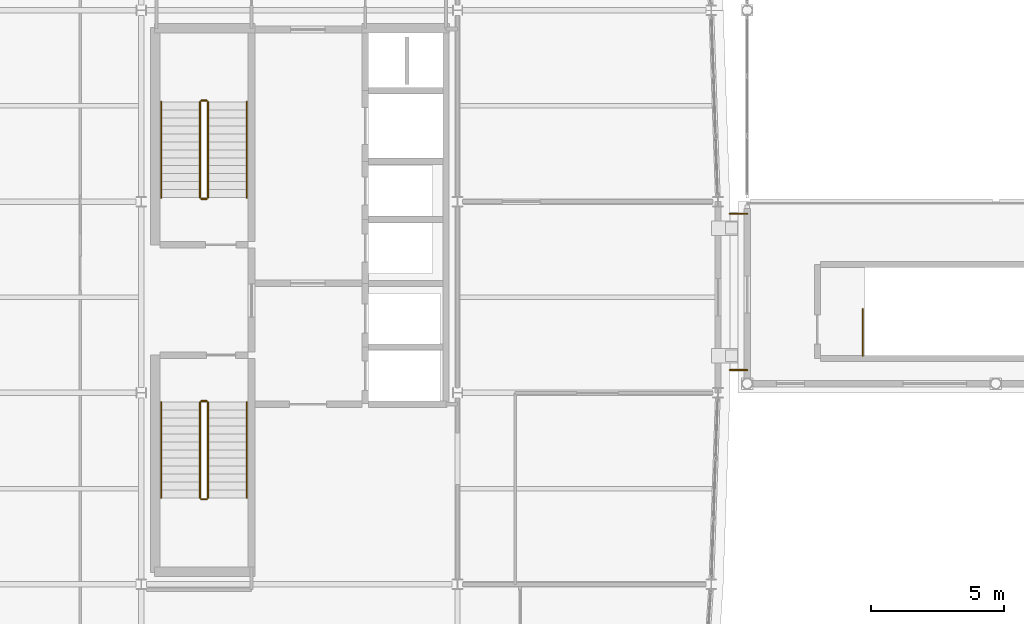
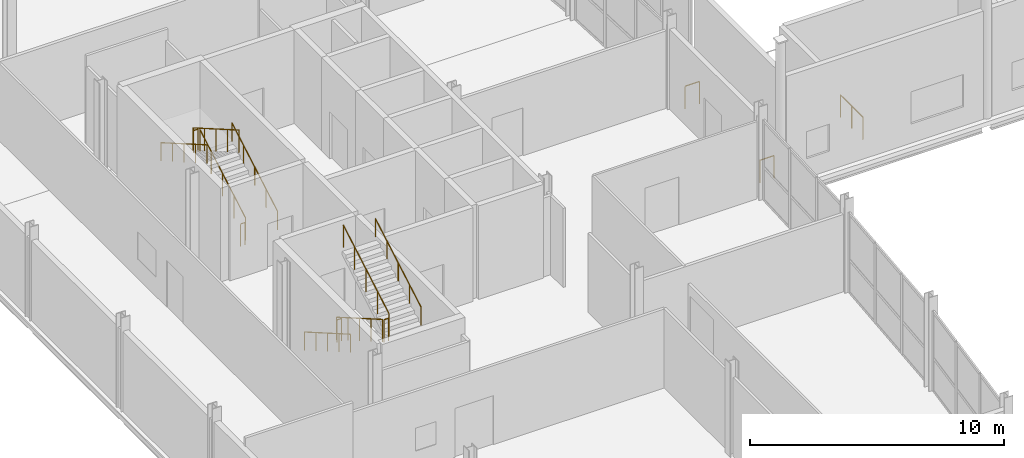
# One storey, part 74 of 77: 15 railings.
"""IFC4 building model written with IfcOpenShell, lengths in metres."""

from ifc_helpers import new_model, si_unit, direction, frame, origin, origin_2d, place, context, subcontext, project, spatial, circle, extrude, material, type_object, element, save


model = new_model("IFC4")

# Units and contexts
model_context = context("Model", 3, precision=1e-05, world=origin(), true_north=direction((0.0, 1.0)))
body_context = subcontext(model_context, "Body", "Model", "MODEL_VIEW")
ifc_project = project(units=[si_unit("LENGTHUNIT", "METRE"), si_unit("AREAUNIT", "SQUARE_METRE"), si_unit("VOLUMEUNIT", "CUBIC_METRE"), si_unit("PLANEANGLEUNIT", "RADIAN"), si_unit("MASSUNIT", "GRAM", prefix="KILO")], contexts=[model_context])

# Site, building, storey
site_placement = place(None, origin())
site = spatial("IfcSite", under=ifc_project, at=site_placement, CompositionType="ELEMENT")
building_placement = place(site_placement, origin())
building = spatial("IfcBuilding", under=site, at=building_placement, Name="Quillay Park Conservatory", CompositionType="ELEMENT")
storey_placement = place(building_placement, frame((0.0, 0.0, 5.39990234375)))
storey = spatial("IfcBuildingStorey", under=building, at=storey_placement, Name="L01", CompositionType="ELEMENT", Elevation=5.39990234375)

# Railings
ifc_material_1 = material(Name="Steel S355J2H", Category="steel")
railing_type_1 = type_object("IfcRailingType", Name="STAIR WALL HANDRAIL 900", PredefinedType="HANDRAIL", material=ifc_material_1)
railing_1_placement = place(storey_placement, frame((11.820068359375, 92.550048828125, 0.173095703125)))
element("IfcRailing", 1, at=railing_1_placement, inside=storey, type_object=railing_type_1, Name="L01 ST-T1 stair handrail 1", PredefinedType="HANDRAIL", context=body_context, shape_type="SweptSolid", body=[
    extrude(circle(Radius=0.02392578125, at=origin_2d()), frame((0.0, 0.0, 0.8759765625), z_axis=(0.0, 0.866178740119, 0.499734319579), x_axis=(-1.0, 0.0, 0.0)), (0.0, 0.0, 1.0), 4.156005859375),
    extrude(circle(Radius=0.02099609375, at=origin_2d()), origin(), (0.0, 0.0, 1.0), 0.851806640625),
    extrude(circle(Radius=0.02099609375, at=origin_2d()), frame((0.0, 0.89990234375, 0.519287109375)), (0.0, 0.0, 1.0), 0.851806640625),
    extrude(circle(Radius=0.02099609375, at=origin_2d()), frame((0.0, 1.7998046875, 1.03857421875)), (0.0, 0.0, 1.0), 0.851806640625),
    extrude(circle(Radius=0.02099609375, at=origin_2d()), frame((0.0, 2.699951171875, 1.5576171875)), (0.0, 0.0, 1.0), 0.851806640625),
    extrude(circle(Radius=0.02099609375, at=origin_2d()), frame((0.0, 3.599853515625, 2.076904296875)), (0.0, 0.0, 1.0), 0.851806640625),
])
railing_2_placement = place(storey_placement, frame((8.60009765625, 96.14990234375, 2.423095703125)))
element("IfcRailing", 2, at=railing_2_placement, inside=storey, type_object=railing_type_1, Name="L01 ST-T1 stair handrail 2", PredefinedType="HANDRAIL", context=body_context, shape_type="SweptSolid", body=[
    extrude(circle(Radius=0.02392578125, at=origin_2d()), frame((0.0, 0.0, 0.8759765625), z_axis=(0.0, -0.866178740119, 0.499734319579), x_axis=(1.0, 0.0, 0.0)), (0.0, 0.0, 1.0), 4.156005859375),
    extrude(circle(Radius=0.02099609375, at=origin_2d()), origin(), (0.0, 0.0, 1.0), 0.851806640625),
    extrude(circle(Radius=0.02099609375, at=origin_2d()), frame((0.0, -0.89990234375, 0.519287109375)), (0.0, 0.0, 1.0), 0.851806640625),
    extrude(circle(Radius=0.02099609375, at=origin_2d()), frame((0.0, -1.7998046875, 1.03857421875)), (0.0, 0.0, 1.0), 0.851806640625),
    extrude(circle(Radius=0.02099609375, at=origin_2d()), frame((0.0, -2.699951171875, 1.5576171875)), (0.0, 0.0, 1.0), 0.851806640625),
    extrude(circle(Radius=0.02099609375, at=origin_2d()), frame((0.0, -3.599853515625, 2.076904296875)), (0.0, 0.0, 1.0), 0.851806640625),
])
railing_3_placement = place(storey_placement, frame((8.60009765625, 84.85009765625, 0.173095703125)))
element("IfcRailing", 3, at=railing_3_placement, inside=storey, type_object=railing_type_1, Name="L01 ST-T2 stair handrail 1", PredefinedType="HANDRAIL", context=body_context, shape_type="SweptSolid", body=[
    extrude(circle(Radius=0.02392578125, at=origin_2d()), frame((0.0, 0.0, 0.8759765625), z_axis=(0.0, -0.866193409371, 0.499708892819), x_axis=(1.0, 0.0, 0.0)), (0.0, 0.0, 1.0), 4.15625),
    extrude(circle(Radius=0.02099609375, at=origin_2d()), origin(), (0.0, 0.0, 1.0), 0.851806640625),
    extrude(circle(Radius=0.02099609375, at=origin_2d()), frame((0.0, -0.89990234375, 0.519287109375)), (0.0, 0.0, 1.0), 0.851806640625),
    extrude(circle(Radius=0.02099609375, at=origin_2d()), frame((0.0, -1.800048828125, 1.03857421875)), (0.0, 0.0, 1.0), 0.851806640625),
    extrude(circle(Radius=0.02099609375, at=origin_2d()), frame((0.0, -2.7001953125, 1.5576171875)), (0.0, 0.0, 1.0), 0.851806640625),
    extrude(circle(Radius=0.02099609375, at=origin_2d()), frame((0.0, -3.60009765625, 2.076904296875)), (0.0, 0.0, 1.0), 0.851806640625),
])
railing_4_placement = place(storey_placement, frame((11.820068359375, 81.25, 2.423095703125)))
element("IfcRailing", 4, at=railing_4_placement, inside=storey, type_object=railing_type_1, Name="L01 ST-T2 stair handrail 2", PredefinedType="HANDRAIL", context=body_context, shape_type="SweptSolid", body=[
    extrude(circle(Radius=0.02392578125, at=origin_2d()), frame((0.0, 0.0, 0.8759765625), z_axis=(0.0, 0.866193409371, 0.499708892819), x_axis=(-1.0, 0.0, 0.0)), (0.0, 0.0, 1.0), 4.15625),
    extrude(circle(Radius=0.02099609375, at=origin_2d()), origin(), (0.0, 0.0, 1.0), 0.851806640625),
    extrude(circle(Radius=0.02099609375, at=origin_2d()), frame((0.0, 0.89990234375, 0.519287109375)), (0.0, 0.0, 1.0), 0.851806640625),
    extrude(circle(Radius=0.02099609375, at=origin_2d()), frame((0.0, 1.800048828125, 1.03857421875)), (0.0, 0.0, 1.0), 0.851806640625),
    extrude(circle(Radius=0.02099609375, at=origin_2d()), frame((0.0, 2.7001953125, 1.5576171875)), (0.0, 0.0, 1.0), 0.851806640625),
    extrude(circle(Radius=0.02099609375, at=origin_2d()), frame((0.0, 3.60009765625, 2.076904296875)), (0.0, 0.0, 1.0), 0.851806640625),
])
ifc_material_2 = material(Name="Steel S355J2H", Category="steel")
railing_type_2 = type_object("IfcRailingType", Name="STAIR WELL GUARDRAIL 1100", PredefinedType="GUARDRAIL", material=ifc_material_2)
railing_5_placement = place(storey_placement, frame((10.360107421875, 92.550048828125, 0.173095703125)))
element("IfcRailing", 5, at=railing_5_placement, inside=storey, type_object=railing_type_2, Name="L01 ST-T1 stair guard 1", PredefinedType="GUARDRAIL", context=body_context, shape_type="SweptSolid", body=[
    extrude(circle(Radius=0.02392578125, at=origin_2d()), frame((0.0, 0.0, 1.076171875), z_axis=(0.0, 0.866178740119, 0.499734319579), x_axis=(-1.0, 0.0, 0.0)), (0.0, 0.0, 1.0), 4.156005859375),
    extrude(circle(Radius=0.02099609375, at=origin_2d()), origin(), (0.0, 0.0, 1.0), 1.052001953125),
    extrude(circle(Radius=0.02099609375, at=origin_2d()), frame((0.0, 0.89990234375, 0.519287109375)), (0.0, 0.0, 1.0), 1.052001953125),
    extrude(circle(Radius=0.02099609375, at=origin_2d()), frame((0.0, 1.7998046875, 1.03857421875)), (0.0, 0.0, 1.0), 1.052001953125),
    extrude(circle(Radius=0.02099609375, at=origin_2d()), frame((0.0, 2.699951171875, 1.5576171875)), (0.0, 0.0, 1.0), 1.052001953125),
    extrude(circle(Radius=0.02099609375, at=origin_2d()), frame((0.0, 3.599853515625, 2.076904296875)), (0.0, 0.0, 1.0), 1.052001953125),
])
railing_6_placement = place(storey_placement, frame((10.31005859375, 96.199951171875, 2.25)))
element("IfcRailing", 6, at=railing_6_placement, inside=storey, type_object=railing_type_2, Name="L01 ST-T1 stair guard 2", PredefinedType="GUARDRAIL", context=body_context, shape_type="SweptSolid", body=[
    extrude(circle(Radius=0.02392578125, at=origin_2d()), frame((0.0, 0.0, 1.076171875), z_axis=(-1.0, 0.0, 0.0), x_axis=(0.0, -1.0, 0.0)), (0.0, 0.0, 1.0), 0.199951171875),
    extrude(circle(Radius=0.02099609375, at=origin_2d()), origin(), (0.0, 0.0, 1.0), 1.052001953125),
    extrude(circle(Radius=0.02099609375, at=origin_2d()), frame((-0.199951171875, 0.0, 0.0)), (0.0, 0.0, 1.0), 1.052001953125),
])
railing_7_placement = place(storey_placement, frame((10.06005859375, 96.14990234375, 2.423095703125)))
element("IfcRailing", 7, at=railing_7_placement, inside=storey, type_object=railing_type_2, Name="L01 ST-T1 stair guard 3", PredefinedType="GUARDRAIL", context=body_context, shape_type="SweptSolid", body=[
    extrude(circle(Radius=0.02392578125, at=origin_2d()), frame((0.0, 0.0, 1.076171875), z_axis=(0.0, -0.866178740119, 0.499734319579), x_axis=(1.0, 0.0, 0.0)), (0.0, 0.0, 1.0), 4.156005859375),
    extrude(circle(Radius=0.02099609375, at=origin_2d()), origin(), (0.0, 0.0, 1.0), 1.052001953125),
    extrude(circle(Radius=0.02099609375, at=origin_2d()), frame((0.0, -0.89990234375, 0.519287109375)), (0.0, 0.0, 1.0), 1.052001953125),
    extrude(circle(Radius=0.02099609375, at=origin_2d()), frame((0.0, -1.7998046875, 1.03857421875)), (0.0, 0.0, 1.0), 1.052001953125),
    extrude(circle(Radius=0.02099609375, at=origin_2d()), frame((0.0, -2.699951171875, 1.5576171875)), (0.0, 0.0, 1.0), 1.052001953125),
    extrude(circle(Radius=0.02099609375, at=origin_2d()), frame((0.0, -3.599853515625, 2.076904296875)), (0.0, 0.0, 1.0), 1.052001953125),
])
railing_8_placement = place(storey_placement, frame((10.31005859375, 92.5, 0.0)))
element("IfcRailing", 8, at=railing_8_placement, inside=storey, type_object=railing_type_2, Name="L01 ST-T1 stair guard 4", PredefinedType="GUARDRAIL", context=body_context, shape_type="SweptSolid", body=[
    extrude(circle(Radius=0.02392578125, at=origin_2d()), frame((0.0, 0.0, 1.076171875), z_axis=(-1.0, 0.0, 0.0), x_axis=(0.0, -1.0, 0.0)), (0.0, 0.0, 1.0), 0.199951171875),
    extrude(circle(Radius=0.02099609375, at=origin_2d()), origin(), (0.0, 0.0, 1.0), 1.052001953125),
    extrude(circle(Radius=0.02099609375, at=origin_2d()), frame((-0.199951171875, 0.0, 0.0)), (0.0, 0.0, 1.0), 1.052001953125),
])
railing_9_placement = place(storey_placement, frame((10.06005859375, 84.85009765625, 0.173095703125)))
element("IfcRailing", 9, at=railing_9_placement, inside=storey, type_object=railing_type_2, Name="L01 ST-T2 stair guard 1", PredefinedType="GUARDRAIL", context=body_context, shape_type="SweptSolid", body=[
    extrude(circle(Radius=0.02392578125, at=origin_2d()), frame((0.0, 0.0, 1.076171875), z_axis=(0.0, -0.866193409371, 0.499708892819), x_axis=(1.0, 0.0, 0.0)), (0.0, 0.0, 1.0), 4.15625),
    extrude(circle(Radius=0.02099609375, at=origin_2d()), origin(), (0.0, 0.0, 1.0), 1.052001953125),
    extrude(circle(Radius=0.02099609375, at=origin_2d()), frame((0.0, -0.89990234375, 0.519287109375)), (0.0, 0.0, 1.0), 1.052001953125),
    extrude(circle(Radius=0.02099609375, at=origin_2d()), frame((0.0, -1.800048828125, 1.03857421875)), (0.0, 0.0, 1.0), 1.052001953125),
    extrude(circle(Radius=0.02099609375, at=origin_2d()), frame((0.0, -2.7001953125, 1.5576171875)), (0.0, 0.0, 1.0), 1.052001953125),
    extrude(circle(Radius=0.02099609375, at=origin_2d()), frame((0.0, -3.60009765625, 2.076904296875)), (0.0, 0.0, 1.0), 1.052001953125),
])
railing_10_placement = place(storey_placement, frame((10.110107421875, 81.199951171875, 2.25)))
element("IfcRailing", 10, at=railing_10_placement, inside=storey, type_object=railing_type_2, Name="L01 ST-T2 stair guard 2", PredefinedType="GUARDRAIL", context=body_context, shape_type="SweptSolid", body=[
    extrude(circle(Radius=0.02392578125, at=origin_2d()), frame((0.0, 0.0, 1.076171875), z_axis=(1.0, 0.0, 0.0), x_axis=(0.0, 1.0, 0.0)), (0.0, 0.0, 1.0), 0.199951171875),
    extrude(circle(Radius=0.02099609375, at=origin_2d()), origin(), (0.0, 0.0, 1.0), 1.052001953125),
    extrude(circle(Radius=0.02099609375, at=origin_2d()), frame((0.199951171875, 0.0, 0.0)), (0.0, 0.0, 1.0), 1.052001953125),
])
railing_11_placement = place(storey_placement, frame((10.360107421875, 81.25, 2.423095703125)))
element("IfcRailing", 11, at=railing_11_placement, inside=storey, type_object=railing_type_2, Name="L01 ST-T2 stair guard 3", PredefinedType="GUARDRAIL", context=body_context, shape_type="SweptSolid", body=[
    extrude(circle(Radius=0.02392578125, at=origin_2d()), frame((0.0, 0.0, 1.076171875), z_axis=(0.0, 0.866193409371, 0.499708892819), x_axis=(-1.0, 0.0, 0.0)), (0.0, 0.0, 1.0), 4.15625),
    extrude(circle(Radius=0.02099609375, at=origin_2d()), origin(), (0.0, 0.0, 1.0), 1.052001953125),
    extrude(circle(Radius=0.02099609375, at=origin_2d()), frame((0.0, 0.89990234375, 0.519287109375)), (0.0, 0.0, 1.0), 1.052001953125),
    extrude(circle(Radius=0.02099609375, at=origin_2d()), frame((0.0, 1.800048828125, 1.03857421875)), (0.0, 0.0, 1.0), 1.052001953125),
    extrude(circle(Radius=0.02099609375, at=origin_2d()), frame((0.0, 2.7001953125, 1.5576171875)), (0.0, 0.0, 1.0), 1.052001953125),
    extrude(circle(Radius=0.02099609375, at=origin_2d()), frame((0.0, 3.60009765625, 2.076904296875)), (0.0, 0.0, 1.0), 1.052001953125),
])
railing_12_placement = place(storey_placement, frame((10.110107421875, 84.89990234375, 0.0)))
element("IfcRailing", 12, at=railing_12_placement, inside=storey, type_object=railing_type_2, Name="L01 ST-T2 stair guard 4", PredefinedType="GUARDRAIL", context=body_context, shape_type="SweptSolid", body=[
    extrude(circle(Radius=0.02392578125, at=origin_2d()), frame((0.0, 0.0, 1.076171875), z_axis=(1.0, 0.0, 0.0), x_axis=(0.0, 1.0, 0.0)), (0.0, 0.0, 1.0), 0.199951171875),
    extrude(circle(Radius=0.02099609375, at=origin_2d()), origin(), (0.0, 0.0, 1.0), 1.052001953125),
    extrude(circle(Radius=0.02099609375, at=origin_2d()), frame((0.199951171875, 0.0, 0.0)), (0.0, 0.0, 1.0), 1.052001953125),
])
railing_13_placement = place(storey_placement, frame((35.0, 86.60009765625, 0.0)))
element("IfcRailing", 13, at=railing_13_placement, inside=storey, type_object=railing_type_2, Name="L01 ST-C1 top well guard 1", PredefinedType="GUARDRAIL", context=body_context, shape_type="SweptSolid", body=[
    extrude(circle(Radius=0.02392578125, at=origin_2d()), frame((0.0, 0.0, 1.076171875), z_axis=(0.0, 1.0, 0.0), x_axis=(-1.0, 0.0, 0.0)), (0.0, 0.0, 1.0), 1.760009765625),
    extrude(circle(Radius=0.02099609375, at=origin_2d()), origin(), (0.0, 0.0, 1.0), 1.052001953125),
    extrude(circle(Radius=0.02099609375, at=origin_2d()), frame((0.0, 0.8798828125, 0.0)), (0.0, 0.0, 1.0), 1.052001953125),
    extrude(circle(Radius=0.02099609375, at=origin_2d()), frame((0.0, 1.760009765625, 0.0)), (0.0, 0.0, 1.0), 1.052001953125),
])
ifc_material_3 = material(Name="Steel S355J2H", Category="steel")
railing_type_3 = type_object("IfcRailingType", Name="TERRACE PERIMETER GUARDRAIL 1100", PredefinedType="GUARDRAIL", material=ifc_material_3)
for number, where, name in (
    (14, (30.0, 86.06005859375, 0.0), "L01 Perimeter Safety Guardrail 012"),
    (15, (30.0, 91.93994140625, 0.0), "L01 Perimeter Safety Guardrail 013"),
):
    element("IfcRailing", number, at=place(storey_placement, frame(where)), inside=storey, type_object=railing_type_3, Name=name, PredefinedType="GUARDRAIL", context=body_context, shape_type="SweptSolid", body=[
        extrude(circle(Radius=0.02392578125, at=origin_2d()), frame((0.0, 0.0, 1.076171875), z_axis=(1.0, 0.0, 0.0), x_axis=(0.0, 1.0, 0.0)), (0.0, 0.0, 1.0), 0.64990234375),
        extrude(circle(Radius=0.02099609375, at=origin_2d()), origin(), (0.0, 0.0, 1.0), 1.052001953125),
        extrude(circle(Radius=0.02099609375, at=origin_2d()), frame((0.64990234375, 0.0, 0.0)), (0.0, 0.0, 1.0), 1.052001953125),
    ])

save(model, "model.ifc")
